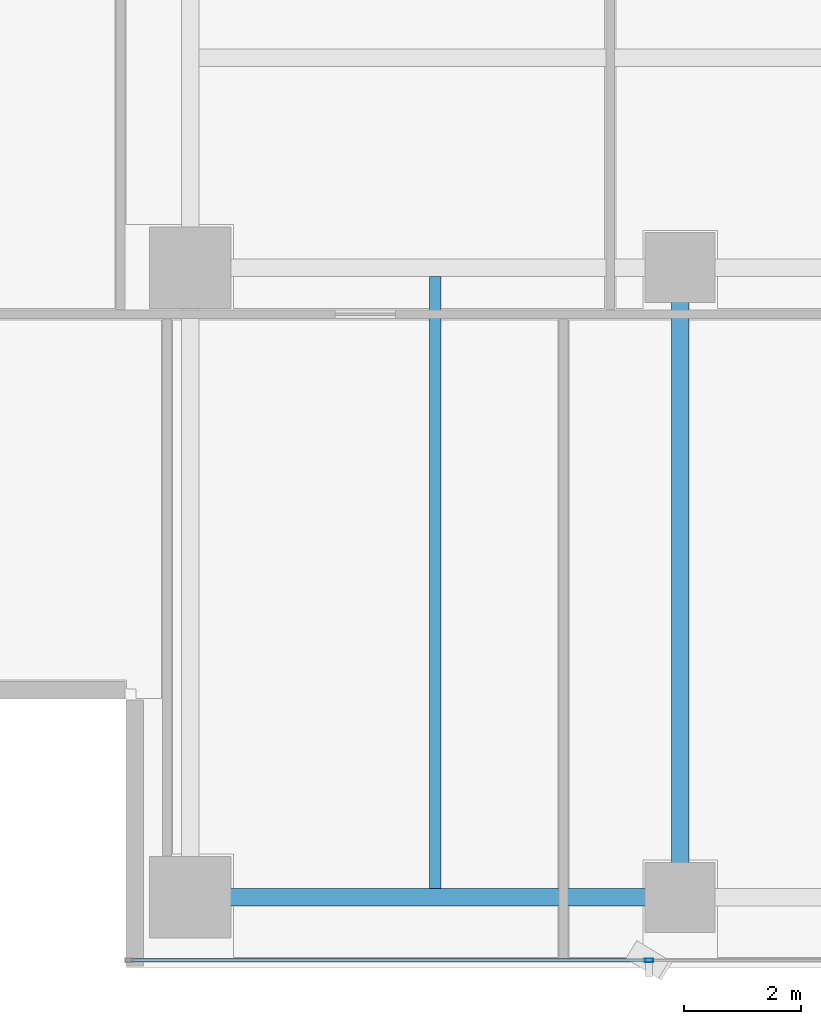
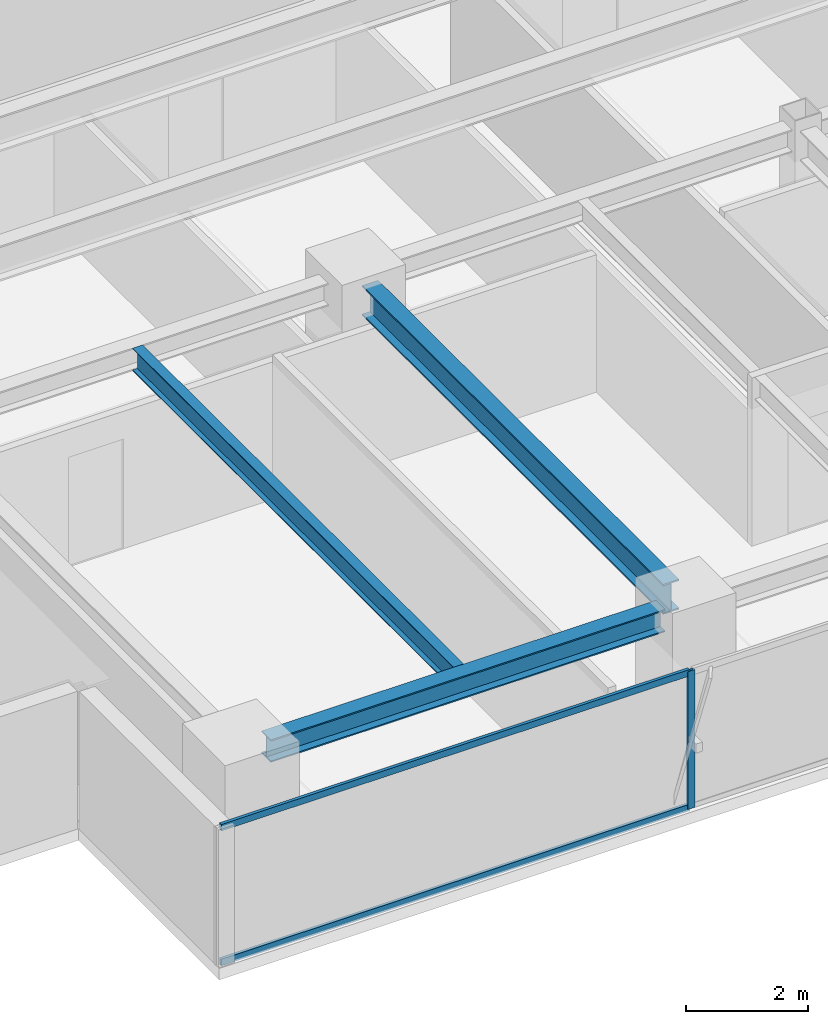
# One storey, part 3 of 26: 3 beams, 3 members, 1 element without a shape of its own.
"""IFC4 building model written with IfcOpenShell, lengths in metres."""

import ifcopenshell
import ifcopenshell.guid

model = None  # the IFC model being written
_history = None  # IfcOwnerHistory: only IFC2X3 demands one
_inside = {}  # id of a spatial element -> (the spatial element, [elements in it])
_under = {}  # id of a project, library or spatial element -> (it, [spatial elements below it])
_declared = {}  # id of a project -> (the project, [libraries it declares])
_typed = {}  # id of a type object -> (the type object, [elements of that type])
_made_of = {}  # id of a material, layer set ... -> (it, [elements and type objects made of it])


def new_model(schema):
    """Start an empty IFC model of exactly this schema.

    Asked for "IFC4X3", IfcOpenShell would pick the latest addendum, in which some entities
    have other attributes; the version numbers below select the first issue.
    IFC2X3 requires an IfcOwnerHistory on every rooted entity: one is made here for all.
    """
    global model, _history
    if schema == "IFC4X3":
        model = ifcopenshell.file(schema_version=(4, 3, 0, 0))
    else:
        model = ifcopenshell.file(schema=schema)
    _inside.clear()
    _under.clear()
    _declared.clear()
    _typed.clear()
    _made_of.clear()
    _history = None
    if model.schema == "IFC2X3":
        org = make("IfcOrganization", Name="unknown")
        user = make(
            "IfcPersonAndOrganization",
            ThePerson=make("IfcPerson", FamilyName="unknown"),
            TheOrganization=org,
        )
        app = make(
            "IfcApplication",
            ApplicationDeveloper=org,
            Version="unknown",
            ApplicationFullName="unknown",
            ApplicationIdentifier="unknown",
        )
        _history = make(
            "IfcOwnerHistory",
            OwningUser=user,
            OwningApplication=app,
            ChangeAction="ADDED",
            CreationDate=0,
        )
    return model


def make(cls, **values):
    """One entity of the class cls with the attributes given. An attribute that is None is left unset."""
    return model.create_entity(
        cls, **{name: value for name, value in values.items() if value is not None}
    )


def rooted(cls, **values):
    """An entity with a GlobalId (a new one), such as an element, a storey or a relation."""
    return make(cls, GlobalId=ifcopenshell.guid.new(), OwnerHistory=_history, **values)


def si_unit(unit_type, name, prefix=None):
    """IfcSIUnit, for example si_unit("LENGTHUNIT", "METRE", prefix="MILLI")."""
    return make("IfcSIUnit", UnitType=unit_type, Prefix=prefix, Name=name)


def assignment(units):
    """IfcUnitAssignment: the units of a project."""
    return None if units is None else make("IfcUnitAssignment", Units=units)


def point(xyz):
    """IfcCartesianPoint."""
    return None if xyz is None else make("IfcCartesianPoint", Coordinates=xyz)


def direction(xyz):
    """IfcDirection."""
    return None if xyz is None else make("IfcDirection", DirectionRatios=xyz)


def frame(location, z_axis=None, x_axis=None):
    """IfcAxis2Placement3D, a coordinate frame: its origin and axes. An axis left out is left unset."""
    return make(
        "IfcAxis2Placement3D",
        Location=point(location),
        Axis=direction(z_axis),
        RefDirection=direction(x_axis),
    )


def frame_2d(location, x_axis=None):
    """IfcAxis2Placement2D, a coordinate frame in the plane: its origin and x axis."""
    return make(
        "IfcAxis2Placement2D", Location=point(location), RefDirection=direction(x_axis)
    )


def origin():
    """The frame at (0, 0, 0) with its axes left unset."""
    return frame((0.0, 0.0, 0.0))


def origin_2d():
    """The frame at (0, 0) in the plane with its x axis left unset."""
    return frame_2d((0.0, 0.0))


def place(relative_to, where):
    """IfcLocalPlacement: puts the frame where relative to a parent placement (None: the world)."""
    return make(
        "IfcLocalPlacement", PlacementRelTo=relative_to, RelativePlacement=where
    )


def context(
    kind, dimensions, precision=None, world=None, true_north=None, identifier=None
):
    """IfcGeometricRepresentationContext, for example the 3D "Model" context."""
    return make(
        "IfcGeometricRepresentationContext",
        ContextIdentifier=identifier,
        ContextType=kind,
        CoordinateSpaceDimension=dimensions,
        Precision=precision,
        WorldCoordinateSystem=world,
        TrueNorth=true_north,
    )


def subcontext(parent, identifier, kind, view, scale=None):
    """IfcGeometricRepresentationSubContext, for example "Body" below "Model"."""
    return make(
        "IfcGeometricRepresentationSubContext",
        ContextIdentifier=identifier,
        ContextType=kind,
        ParentContext=parent,
        TargetScale=scale,
        TargetView=view,
    )


def project(units=None, contexts=None):
    """IfcProject with its units and contexts."""
    return rooted(
        "IfcProject",
        Name="project",
        RepresentationContexts=contexts,
        UnitsInContext=assignment(units),
    )


def spatial(cls, under=None, at=None, **own):
    """A site, building, storey or space (cls), placed at a placement, below another one or the project."""
    s = rooted(cls, ObjectPlacement=at, **own)
    if under is not None:
        _under.setdefault(under.id(), (under, []))[1].append(s)
    return s


def profile(cls, at=None, kind="AREA", **sizes):
    """A parametric profile (cls). Its sizes go by their IFC names, for example OverallWidth=200.0."""
    return make(cls, ProfileType=kind, Position=at, **sizes)


def hollow_rectangle(**sizes):
    """IfcRectangleHollowProfileDef."""
    return profile("IfcRectangleHollowProfileDef", **sizes)


def i_section(**sizes):
    """IfcIShapeProfileDef."""
    return profile("IfcIShapeProfileDef", **sizes)


def extrude(swept, where, along, depth):
    """IfcExtrudedAreaSolid: the profile swept, set in the frame where, extruded along a direction by depth."""
    return make(
        "IfcExtrudedAreaSolid",
        SweptArea=swept,
        Position=where,
        ExtrudedDirection=direction(along),
        Depth=depth,
    )


def shape(context_of_items, identifier, shape_type, items):
    """IfcShapeRepresentation: the items that make up one representation, for example the "Body"."""
    return make(
        "IfcShapeRepresentation",
        ContextOfItems=context_of_items,
        RepresentationIdentifier=identifier,
        RepresentationType=shape_type,
        Items=items,
    )


def source(mapping_origin, context_of_items, identifier, shape_type, items):
    """IfcRepresentationMap: a shape defined once, which mapped items show again and again."""
    return make(
        "IfcRepresentationMap",
        MappingOrigin=mapping_origin,
        MappedRepresentation=shape(context_of_items, identifier, shape_type, items),
    )


def transform(
    local_origin,
    x_axis=None,
    y_axis=None,
    z_axis=None,
    scale=None,
    scale2=None,
    scale3=None,
    uniform=True,
):
    """IfcCartesianTransformationOperator3D, or its non-uniform kind. x_axis, y_axis, z_axis: its Axis1, 2, 3."""
    if uniform:
        return make(
            "IfcCartesianTransformationOperator3D",
            Axis1=direction(x_axis),
            Axis2=direction(y_axis),
            LocalOrigin=point(local_origin),
            Scale=scale,
            Axis3=direction(z_axis),
        )
    return make(
        "IfcCartesianTransformationOperator3DnonUniform",
        Axis1=direction(x_axis),
        Axis2=direction(y_axis),
        LocalOrigin=point(local_origin),
        Scale=scale,
        Axis3=direction(z_axis),
        Scale2=scale2,
        Scale3=scale3,
    )


def mapped(mapping_source, mapping_target):
    """IfcMappedItem: shows the shape of a source again, moved by a transform."""
    return make(
        "IfcMappedItem", MappingSource=mapping_source, MappingTarget=mapping_target
    )


def material(Name=None, Category=None):
    """IfcMaterial."""
    return make("IfcMaterial", Name=Name, Category=Category)


def layer(
    of_material, thickness, ventilated=None, Name=None, Category=None, Priority=None
):
    """IfcMaterialLayer: one layer of a wall or slab, of a material (None: an air gap)."""
    return make(
        "IfcMaterialLayer",
        Material=of_material,
        LayerThickness=thickness,
        IsVentilated=ventilated,
        Name=Name,
        Category=Category,
        Priority=Priority,
    )


def layer_set(layers, Name=None):
    """IfcMaterialLayerSet."""
    return make("IfcMaterialLayerSet", MaterialLayers=layers, LayerSetName=Name)


def material_profile(
    of_material, cross_section, Name=None, Category=None, Priority=None
):
    """IfcMaterialProfile: a cross section and its material."""
    return make(
        "IfcMaterialProfile",
        Name=Name,
        Material=of_material,
        Profile=cross_section,
        Priority=Priority,
        Category=Category,
    )


def profile_set(profiles, Name=None, composite=None):
    """IfcMaterialProfileSet."""
    return make(
        "IfcMaterialProfileSet",
        Name=Name,
        MaterialProfiles=profiles,
        CompositeProfile=composite,
    )


def made_of(thing, what):
    """Note that an element or type object is made of a material, layer set ...; save() writes the relation."""
    if what is not None:
        _made_of.setdefault(what.id(), (what, []))[1].append(thing)
    return thing


def type_object(cls, material=None, **own):
    """A type object (cls), such as IfcWallType, which elements share."""
    return made_of(rooted(cls, **own), material)


def element(
    cls,
    number,
    at=None,
    inside=None,
    cuts=None,
    type_object=None,
    material=None,
    context=None,
    identifier="Body",
    shape_type=None,
    held_by="IfcProductDefinitionShape",
    body=None,
    shapes=None,
    **own,
):
    """One element of the class cls, such as IfcWall. Its Tag is "e" and its number.

    at: its placement. inside: the storey or other place that contains it. cuts: it is an
    opening in that element (IfcRelVoidsElement). A single representation is given by context,
    identifier, shape_type and body (its items); several are given by shapes. held_by: the class
    of the entity that holds the representations. save() writes the other relations.
    """
    e = rooted(cls, Tag="e%d" % number, ObjectPlacement=at, **own)
    if body is not None:
        shapes = [shape(context, identifier, shape_type, body)]
    if shapes is not None:
        e.Representation = make(held_by, Representations=shapes)
    if inside is not None:
        _inside.setdefault(inside.id(), (inside, []))[1].append(e)
    if cuts is not None:
        rooted(
            "IfcRelVoidsElement", RelatingBuildingElement=cuts, RelatedOpeningElement=e
        )
    if type_object is not None:
        _typed.setdefault(type_object.id(), (type_object, []))[1].append(e)
    return made_of(e, material)


def aggregate(whole, parts):
    """IfcRelAggregates: a whole, such as a stair, and the parts it consists of."""
    return rooted("IfcRelAggregates", RelatingObject=whole, RelatedObjects=parts)


def save(model, path):
    """Write the relations noted so far, then the file.

    IfcRelAggregates (storeys below a building ...), IfcRelContainedInSpatialStructure (elements
    in a storey), IfcRelDefinesByType, IfcRelAssociatesMaterial and IfcRelDeclares: one each for
    every whole, place, type object, material and project.
    """
    for whole, parts in _under.values():
        aggregate(whole, parts)
    for where, things in _inside.values():
        rooted(
            "IfcRelContainedInSpatialStructure",
            RelatedElements=things,
            RelatingStructure=where,
        )
    for kind, things in _typed.values():
        rooted("IfcRelDefinesByType", RelatedObjects=things, RelatingType=kind)
    for what, things in _made_of.values():
        rooted("IfcRelAssociatesMaterial", RelatedObjects=things, RelatingMaterial=what)
    for by, libraries in _declared.values():
        rooted("IfcRelDeclares", RelatingContext=by, RelatedDefinitions=libraries)
    model.write(path)


model = new_model("IFC4")

# Units and contexts
model_context = context("Model", 3, precision=1e-05, world=origin(), true_north=direction((0.0, 1.0)))
body_context = subcontext(model_context, "Body", "Model", "MODEL_VIEW")
ifc_project = project(units=[si_unit("LENGTHUNIT", "METRE"), si_unit("AREAUNIT", "SQUARE_METRE"), si_unit("VOLUMEUNIT", "CUBIC_METRE"), si_unit("PLANEANGLEUNIT", "RADIAN"), si_unit("MASSUNIT", "GRAM", prefix="KILO")], contexts=[model_context])

# Site, building, storey
site_placement = place(None, origin())
site = spatial("IfcSite", under=ifc_project, at=site_placement, CompositionType="ELEMENT")
building_placement = place(site_placement, origin())
building = spatial("IfcBuilding", under=site, at=building_placement, Name="Sumidabori Civic Tower", CompositionType="ELEMENT")
storey_placement = place(building_placement, frame((0.0, 0.0, 250.39990234375)))
storey = spatial("IfcBuildingStorey", under=building, at=storey_placement, Name="L65", CompositionType="ELEMENT", Elevation=250.39990234375)

# Beams
ifc_material_1 = material(Name="Steel SN490", Category="steel")
ifc_material_profile_1 = material_profile(ifc_material_1, i_section(OverallWidth=0.300048828125, OverallDepth=0.60009765625, WebThickness=0.015380859375, FlangeThickness=0.030029296875, at=origin_2d()), Name="HE 600 B")
ifc_profile_set_1 = profile_set([ifc_material_profile_1], Name="Steel SN490")
beam_type_1 = type_object("IfcBeamType", Name="BM-GIRD-600", PredefinedType="BEAM", material=ifc_profile_set_1)
shared_shape_1 = source(origin(), body_context, "Body", "SweptSolid", [
    extrude(i_section(OverallWidth=0.300048828125, OverallDepth=0.60009765625, WebThickness=0.015380859375, FlangeThickness=0.030029296875, at=origin_2d()), origin(), (0.0, 0.0, 1.0), 9.840087890625),
])
beam_1_placement = place(storey_placement, frame((-8.39990234375, -10.320068359375, 3.070068359375), z_axis=(0.0, 1.0, 0.0), x_axis=(-1.0, 0.0, 0.0)))
element("IfcBeam", 1, at=beam_1_placement, inside=storey, type_object=beam_type_1, Name="Primary Girder L65 GY-12", PredefinedType="BEAM", context=body_context, shape_type="MappedRepresentation", body=[
    mapped(shared_shape_1, transform((0.0, 0.0, 0.0), x_axis=(1.0, 0.0, 0.0), y_axis=(0.0, 1.0, 0.0), z_axis=(0.0, 0.0, 1.0), scale=1.0)),
])
ifc_material_profile_2 = material_profile(ifc_material_1, i_section(OverallWidth=0.300048828125, OverallDepth=0.449951171875, WebThickness=0.013916015625, FlangeThickness=0.02587890625, at=origin_2d()), Name="HE 450 B")
ifc_profile_set_2 = profile_set([ifc_material_profile_2], Name="Steel SN490")
beam_type_2 = type_object("IfcBeamType", Name="BM-GIRD-450", PredefinedType="BEAM", material=ifc_profile_set_2)
shared_shape_2 = source(origin(), body_context, "Body", "SweptSolid", [
    extrude(i_section(OverallWidth=0.300048828125, OverallDepth=0.449951171875, WebThickness=0.013916015625, FlangeThickness=0.02587890625, at=origin_2d()), origin(), (0.0, 0.0, 1.0), 7.440185546875),
])
beam_2_placement = place(storey_placement, frame((-16.320068359375, -10.800048828125, 3.14501953125), z_axis=(1.0, 0.0, 0.0), x_axis=(0.0, 1.0, 0.0)))
element("IfcBeam", 2, at=beam_2_placement, inside=storey, type_object=beam_type_2, Name="Primary Girder L65 GX-01", PredefinedType="BEAM", context=body_context, shape_type="MappedRepresentation", body=[
    mapped(shared_shape_2, transform((0.0, 0.0, 0.0), x_axis=(1.0, 0.0, 0.0), y_axis=(0.0, 1.0, 0.0), z_axis=(0.0, 0.0, 1.0), scale=1.0)),
])
ifc_material_profile_3 = material_profile(ifc_material_1, i_section(OverallWidth=0.18994140625, OverallDepth=0.449951171875, WebThickness=0.009521484375, FlangeThickness=0.0146484375, at=origin_2d()), Name="IPE 450")
ifc_profile_set_3 = profile_set([ifc_material_profile_3], Name="Steel SN490")
beam_type_3 = type_object("IfcBeamType", Name="BM-JST-450", PredefinedType="JOIST", material=ifc_profile_set_3)
shared_shape_3 = source(origin(), body_context, "Body", "SweptSolid", [
    extrude(i_section(OverallWidth=0.18994140625, OverallDepth=0.449951171875, WebThickness=0.009521484375, FlangeThickness=0.0146484375, at=origin_2d()), origin(), (0.0, 0.0, 1.0), 10.5),
])
beam_3_placement = place(storey_placement, frame((-12.60009765625, -10.64990234375, 3.14501953125), z_axis=(0.0, 1.0, 0.0), x_axis=(-1.0, 0.0, 0.0)))
element("IfcBeam", 3, at=beam_3_placement, inside=storey, type_object=beam_type_3, Name="Upper Lens N-S Floor Joist L65 JSTV-20", PredefinedType="JOIST", context=body_context, shape_type="MappedRepresentation", body=[
    mapped(shared_shape_3, transform((0.0, 0.0, 0.0), x_axis=(1.0, 0.0, 0.0), y_axis=(0.0, 1.0, 0.0), z_axis=(0.0, 0.0, 1.0), scale=1.0)),
])

# Curtain wall, members
ifc_material_2 = material(Name="Anodised Bronze Aluminium AW-6063-T6", Category="aluminium")
ifc_layer = layer(ifc_material_2, 0.179931640625, Name="Anodised Bronze Aluminium AW-6063-T6")
ifc_layer_set = layer_set([ifc_layer], Name="Anodised Bronze Aluminium AW-6063-T6")
curtain_wall_type = type_object("IfcCurtainWallType", Name="CW-SYS-5", PredefinedType="NOTDEFINED", material=ifc_layer_set)
curtain_wall_placement = place(storey_placement, origin())
curtain_wall = element("IfcCurtainWall", 4, at=curtain_wall_placement, inside=storey, type_object=curtain_wall_type, Name="Curtain Wall CW:L65:R01", PredefinedType="NOTDEFINED")
ifc_material_profile_4 = material_profile(ifc_material_2, hollow_rectangle(XDim=0.06005859375, YDim=0.139892578125, WallThickness=0.0048828125, at=origin_2d()), Name="ALU MULLION 140x60")
ifc_profile_set_4 = profile_set([ifc_material_profile_4], Name="Anodised Bronze Aluminium AW-6063-T6")
member_type_1 = type_object("IfcMemberType", Name="CW-MUL-140", PredefinedType="MULLION", material=ifc_profile_set_4)
shared_shape_4 = source(origin(), body_context, "Body", "SweptSolid", [
    extrude(hollow_rectangle(XDim=0.06005859375, YDim=0.139892578125, WallThickness=0.0048828125, at=origin_2d()), origin(), (0.0, 0.0, 1.0), 2.75),
])
member_1_placement = place(storey_placement, frame((-8.93505859375, -11.8798828125, 0.0), z_axis=(0.0, 0.0, 1.0), x_axis=(0.0, 1.0, 0.0)))
member_1 = element("IfcMember", 5, at=member_1_placement, type_object=member_type_1, Name="CW-5 mullion 2", PredefinedType="MULLION", context=body_context, shape_type="MappedRepresentation", body=[
    mapped(shared_shape_4, transform((0.0, 0.0, 0.0), x_axis=(1.0, 0.0, 0.0), y_axis=(0.0, 1.0, 0.0), z_axis=(0.0, 0.0, 1.0), scale=1.0)),
])
ifc_material_profile_5 = material_profile(ifc_material_2, hollow_rectangle(XDim=0.06005859375, YDim=0.1298828125, WallThickness=0.0048828125, at=origin_2d()), Name="ALU TRANSOM 130x60")
ifc_profile_set_5 = profile_set([ifc_material_profile_5], Name="Anodised Bronze Aluminium AW-6063-T6")
member_type_2 = type_object("IfcMemberType", Name="CW-TRN-130", PredefinedType="USERDEFINED", material=ifc_profile_set_5)
shared_shape_5 = source(origin(), body_context, "Body", "SweptSolid", [
    extrude(hollow_rectangle(XDim=0.06005859375, YDim=0.1298828125, WallThickness=0.0048828125, at=origin_2d()), origin(), (0.0, 0.0, 1.0), 8.844970703125),
])
member_2_placement = place(storey_placement, frame((-17.81005859375, -11.8798828125, 0.030029296875), z_axis=(1.0, 0.0, 0.0), x_axis=(0.0, 1.0, 0.0)))
member_2 = element("IfcMember", 6, at=member_2_placement, type_object=member_type_2, Name="CW-5 transom 1.1", ObjectType="TRANSOM", PredefinedType="USERDEFINED", context=body_context, shape_type="MappedRepresentation", body=[
    mapped(shared_shape_5, transform((0.0, 0.0, 0.0), x_axis=(1.0, 0.0, 0.0), y_axis=(0.0, 1.0, 0.0), z_axis=(0.0, 0.0, 1.0), scale=1.0)),
])
member_3_placement = place(storey_placement, frame((-17.81005859375, -11.8798828125, 2.72021484375), z_axis=(1.0, 0.0, 0.0), x_axis=(0.0, 1.0, 0.0)))
member_3 = element("IfcMember", 7, at=member_3_placement, type_object=member_type_2, Name="CW-5 transom 1.2", ObjectType="TRANSOM", PredefinedType="USERDEFINED", context=body_context, shape_type="MappedRepresentation", body=[
    mapped(shared_shape_5, transform((0.0, 0.0, 0.0), x_axis=(1.0, 0.0, 0.0), y_axis=(0.0, 1.0, 0.0), z_axis=(0.0, 0.0, 1.0), scale=1.0)),
])
aggregate(curtain_wall, [member_1, member_2, member_3])

save(model, "model.ifc")
